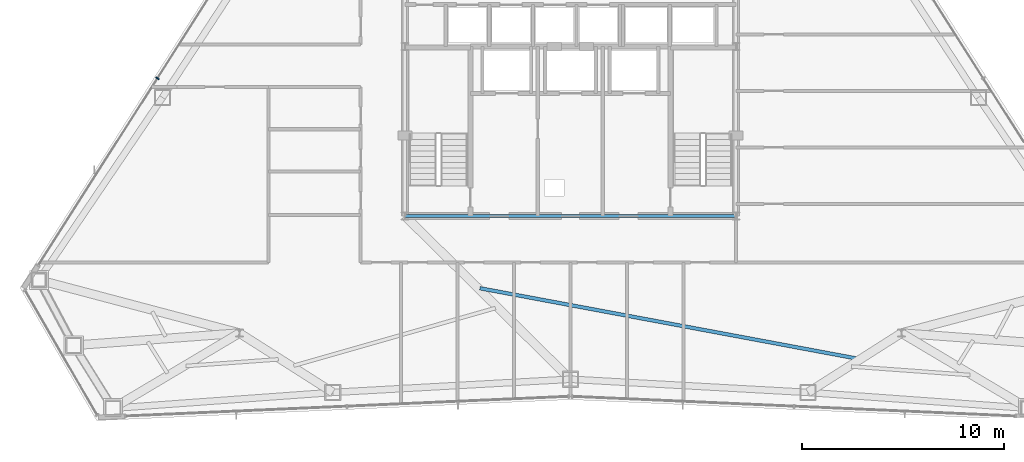
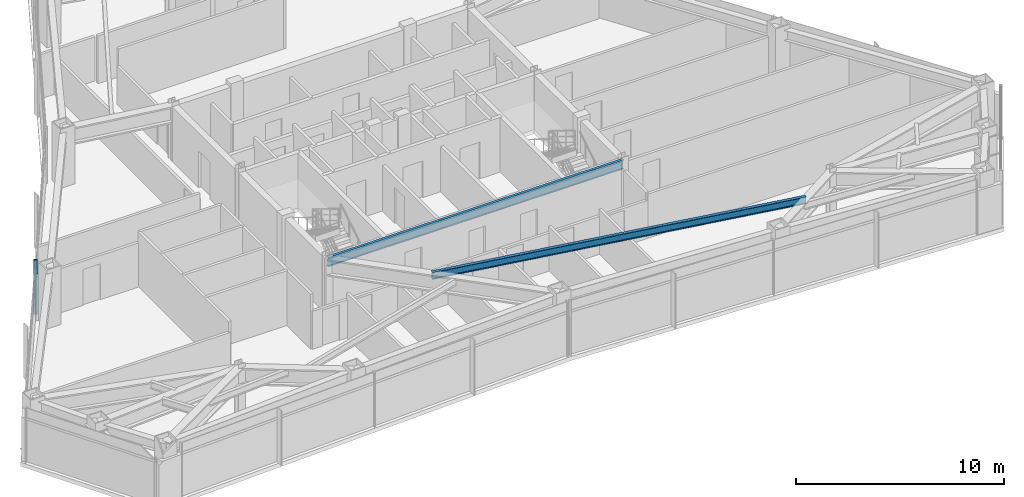
# One storey, part 4 of 13: 2 beams, 1 member, 1 element without a shape of its own.
"""IFC4 building model written with IfcOpenShell, lengths in metres."""

from ifc_helpers import new_model, si_unit, direction, frame, origin, origin_2d, place, context, subcontext, project, spatial, rectangle, i_section, extrude, source, transform, mapped, material, layer, layer_set, material_profile, profile_set, type_object, type_shapes, element, aggregate, save


model = new_model("IFC4")

# Units and contexts
model_context = context("Model", 3, precision=1e-05, world=origin(), true_north=direction((0.0, 1.0)))
body_context = subcontext(model_context, "Body", "Model", "MODEL_VIEW")
ifc_project = project(units=[si_unit("LENGTHUNIT", "METRE"), si_unit("AREAUNIT", "SQUARE_METRE"), si_unit("VOLUMEUNIT", "CUBIC_METRE"), si_unit("PLANEANGLEUNIT", "RADIAN"), si_unit("MASSUNIT", "GRAM", prefix="KILO")], contexts=[model_context])

# Site, building, storey
site_placement = place(None, origin())
site = spatial("IfcSite", under=ifc_project, at=site_placement, CompositionType="ELEMENT")
building_placement = place(site_placement, origin())
building = spatial("IfcBuilding", under=site, at=building_placement, Name="Varakhsha Concourse Tower", CompositionType="ELEMENT")
storey_placement = place(building_placement, frame((0.0, 0.0, 189.60009765625)))
storey = spatial("IfcBuildingStorey", under=building, at=storey_placement, Name="L54", CompositionType="ELEMENT", Elevation=189.60009765625)

# Beams
ifc_material_1 = material(Name="Structural Steel ASTM A992 Grade 50", Category="steel")
ifc_material_profile_1 = material_profile(ifc_material_1, i_section(OverallWidth=0.177978515625, OverallDepth=0.406982421875, WebThickness=0.008056640625, FlangeThickness=0.012939453125, at=origin_2d()), Name="W16X40")
ifc_profile_set_1 = profile_set([ifc_material_profile_1], Name="Structural Steel ASTM A992 Grade 50")
beam_type_1 = type_object("IfcBeamType", Name="BM-JST-W16X40", PredefinedType="JOIST", material=ifc_profile_set_1)
beam_1_placement = place(storey_placement, frame((35.51611328125, 12.8212890625, 3.00634765625), z_axis=(0.98305278924, -0.183322703359, 0.0), x_axis=(0.183322703359, 0.98305278924, 0.0)))
element("IfcBeam", 1, at=beam_1_placement, inside=storey, type_object=beam_type_1, Name="BM-TJST-L54-11", PredefinedType="JOIST", context=body_context, shape_type="SweptSolid", body=[
    extrude(i_section(OverallWidth=0.177978515625, OverallDepth=0.406982421875, WebThickness=0.008056640625, FlangeThickness=0.012939453125, at=origin_2d()), origin(), (0.0, 0.0, 1.0), 19.06396484375),
])
ifc_material_profile_2 = material_profile(ifc_material_1, i_section(OverallWidth=0.1669921875, OverallDepth=0.534912109375, WebThickness=0.010009765625, FlangeThickness=0.01708984375, at=origin_2d()), Name="W21X57")
ifc_profile_set_2 = profile_set([ifc_material_profile_2], Name="Structural Steel ASTM A992 Grade 50")
beam_type_2 = type_object("IfcBeamType", Name="BM-RAD-W21X57", PredefinedType="BEAM", material=ifc_profile_set_2)
beam_2_placement = place(storey_placement, frame((31.800048828125, 16.39990234375, 2.9423828125), z_axis=(1.0, 0.0, 0.0), x_axis=(0.0, 1.0, 0.0)))
element("IfcBeam", 2, at=beam_2_placement, inside=storey, type_object=beam_type_2, Name="BM-TCORE-L54-CS", PredefinedType="BEAM", context=body_context, shape_type="SweptSolid", body=[
    extrude(i_section(OverallWidth=0.1669921875, OverallDepth=0.534912109375, WebThickness=0.010009765625, FlangeThickness=0.01708984375, at=origin_2d()), origin(), (0.0, 0.0, 1.0), 16.39990234375),
])

# Curtain wall, member
ifc_material_2 = material(Name="Anodised Bronze Architectural Aluminium AA 6063-T6", Category="aluminium")
ifc_layer = layer(ifc_material_2, 0.2099609375, Name="CW-SYS-04")
ifc_layer_set = layer_set([ifc_layer], Name="Anodised Bronze Architectural Aluminium AA 6063-T6")
curtain_wall_type = type_object("IfcCurtainWallType", Name="CW-SYS-04", PredefinedType="NOTDEFINED", material=ifc_layer_set)
curtain_wall_placement = place(storey_placement, origin())
curtain_wall = element("IfcCurtainWall", 3, at=curtain_wall_placement, inside=storey, type_object=curtain_wall_type, Name="L54 Crystal Curtain Wall F3", PredefinedType="NOTDEFINED")
ifc_material_profile_3 = material_profile(ifc_material_2, rectangle(XDim=0.06494140625, YDim=0.179931640625, at=origin_2d()), Name="CWM-180X65")
ifc_profile_set_3 = profile_set([ifc_material_profile_3], Name="Anodised Bronze Architectural Aluminium AA 6063-T6")
member_type = type_object("IfcMemberType", Name="CWM-180X65", PredefinedType="MULLION", material=ifc_profile_set_3)
shared_shape = source(origin(), body_context, "Body", "SweptSolid", [
    extrude(rectangle(XDim=0.06494140625, YDim=0.179931640625, at=origin_2d()), origin(), (0.0, 0.0, 1.0), 3.2099609375),
])
type_shapes(member_type, [shared_shape])
member_placement = place(storey_placement, frame((19.541015625, 23.224609375, 0.0), z_axis=(0.0, 0.0, 1.0), x_axis=(0.537863262638, 0.84303209352, 0.0)))
member = element("IfcMember", 4, at=member_placement, type_object=member_type, Name="CW-L54-F3 Mullion 01", PredefinedType="MULLION", context=body_context, shape_type="MappedRepresentation", body=[
    mapped(shared_shape, transform((0.0, 0.0, 0.0), scale=1.0)),
])
aggregate(curtain_wall, [member])

save(model, "model.ifc")
